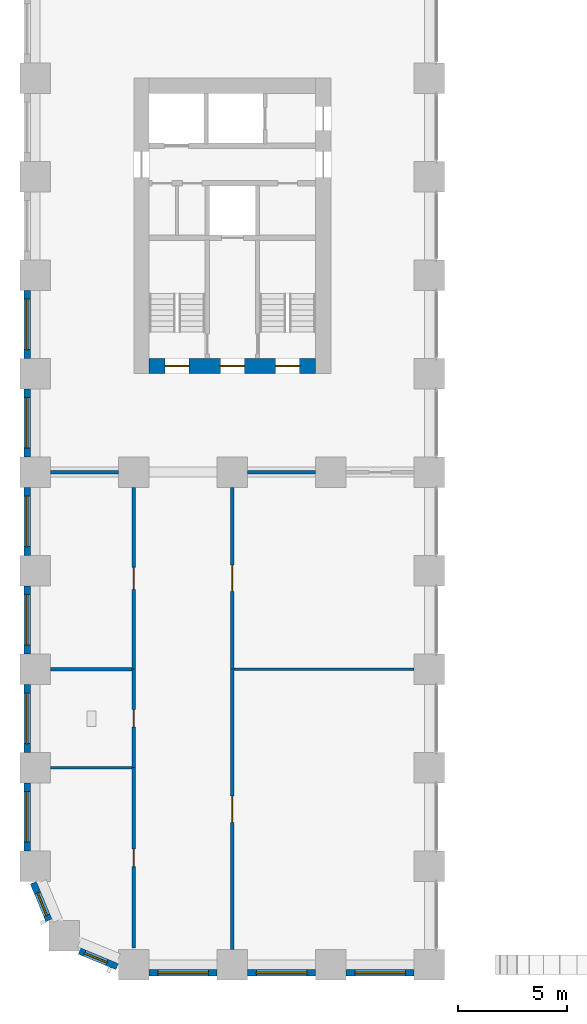
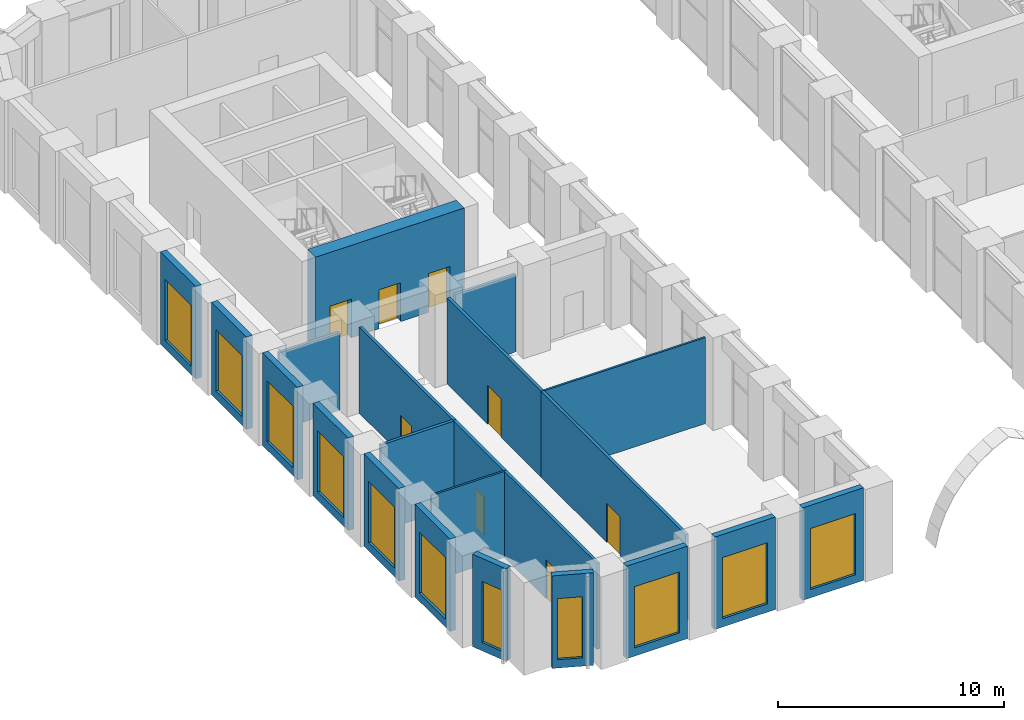
# One storey, part 8 of 24: 22 walls, 11 windows, 8 doors, 19 openings.
"""IFC4 building model written with IfcOpenShell, lengths in metres."""

import ifcopenshell
import ifcopenshell.guid

model = None  # the IFC model being written
_history = None  # IfcOwnerHistory: only IFC2X3 demands one
_inside = {}  # id of a spatial element -> (the spatial element, [elements in it])
_under = {}  # id of a project, library or spatial element -> (it, [spatial elements below it])
_declared = {}  # id of a project -> (the project, [libraries it declares])
_typed = {}  # id of a type object -> (the type object, [elements of that type])
_made_of = {}  # id of a material, layer set ... -> (it, [elements and type objects made of it])


def new_model(schema):
    """Start an empty IFC model of exactly this schema.

    Asked for "IFC4X3", IfcOpenShell would pick the latest addendum, in which some entities
    have other attributes; the version numbers below select the first issue.
    IFC2X3 requires an IfcOwnerHistory on every rooted entity: one is made here for all.
    """
    global model, _history
    if schema == "IFC4X3":
        model = ifcopenshell.file(schema_version=(4, 3, 0, 0))
    else:
        model = ifcopenshell.file(schema=schema)
    _inside.clear()
    _under.clear()
    _declared.clear()
    _typed.clear()
    _made_of.clear()
    _history = None
    if model.schema == "IFC2X3":
        org = make("IfcOrganization", Name="unknown")
        user = make(
            "IfcPersonAndOrganization",
            ThePerson=make("IfcPerson", FamilyName="unknown"),
            TheOrganization=org,
        )
        app = make(
            "IfcApplication",
            ApplicationDeveloper=org,
            Version="unknown",
            ApplicationFullName="unknown",
            ApplicationIdentifier="unknown",
        )
        _history = make(
            "IfcOwnerHistory",
            OwningUser=user,
            OwningApplication=app,
            ChangeAction="ADDED",
            CreationDate=0,
        )
    return model


def make(cls, **values):
    """One entity of the class cls with the attributes given. An attribute that is None is left unset."""
    return model.create_entity(
        cls, **{name: value for name, value in values.items() if value is not None}
    )


def rooted(cls, **values):
    """An entity with a GlobalId (a new one), such as an element, a storey or a relation."""
    return make(cls, GlobalId=ifcopenshell.guid.new(), OwnerHistory=_history, **values)


def si_unit(unit_type, name, prefix=None):
    """IfcSIUnit, for example si_unit("LENGTHUNIT", "METRE", prefix="MILLI")."""
    return make("IfcSIUnit", UnitType=unit_type, Prefix=prefix, Name=name)


def assignment(units):
    """IfcUnitAssignment: the units of a project."""
    return None if units is None else make("IfcUnitAssignment", Units=units)


def point(xyz):
    """IfcCartesianPoint."""
    return None if xyz is None else make("IfcCartesianPoint", Coordinates=xyz)


def direction(xyz):
    """IfcDirection."""
    return None if xyz is None else make("IfcDirection", DirectionRatios=xyz)


def frame(location, z_axis=None, x_axis=None):
    """IfcAxis2Placement3D, a coordinate frame: its origin and axes. An axis left out is left unset."""
    return make(
        "IfcAxis2Placement3D",
        Location=point(location),
        Axis=direction(z_axis),
        RefDirection=direction(x_axis),
    )


def frame_2d(location, x_axis=None):
    """IfcAxis2Placement2D, a coordinate frame in the plane: its origin and x axis."""
    return make(
        "IfcAxis2Placement2D", Location=point(location), RefDirection=direction(x_axis)
    )


def origin():
    """The frame at (0, 0, 0) with its axes left unset."""
    return frame((0.0, 0.0, 0.0))


def place(relative_to, where):
    """IfcLocalPlacement: puts the frame where relative to a parent placement (None: the world)."""
    return make(
        "IfcLocalPlacement", PlacementRelTo=relative_to, RelativePlacement=where
    )


def context(
    kind, dimensions, precision=None, world=None, true_north=None, identifier=None
):
    """IfcGeometricRepresentationContext, for example the 3D "Model" context."""
    return make(
        "IfcGeometricRepresentationContext",
        ContextIdentifier=identifier,
        ContextType=kind,
        CoordinateSpaceDimension=dimensions,
        Precision=precision,
        WorldCoordinateSystem=world,
        TrueNorth=true_north,
    )


def subcontext(parent, identifier, kind, view, scale=None):
    """IfcGeometricRepresentationSubContext, for example "Body" below "Model"."""
    return make(
        "IfcGeometricRepresentationSubContext",
        ContextIdentifier=identifier,
        ContextType=kind,
        ParentContext=parent,
        TargetScale=scale,
        TargetView=view,
    )


def project(units=None, contexts=None):
    """IfcProject with its units and contexts."""
    return rooted(
        "IfcProject",
        Name="project",
        RepresentationContexts=contexts,
        UnitsInContext=assignment(units),
    )


def spatial(cls, under=None, at=None, **own):
    """A site, building, storey or space (cls), placed at a placement, below another one or the project."""
    s = rooted(cls, ObjectPlacement=at, **own)
    if under is not None:
        _under.setdefault(under.id(), (under, []))[1].append(s)
    return s


def profile(cls, at=None, kind="AREA", **sizes):
    """A parametric profile (cls). Its sizes go by their IFC names, for example OverallWidth=200.0."""
    return make(cls, ProfileType=kind, Position=at, **sizes)


def rectangle(**sizes):
    """IfcRectangleProfileDef."""
    return profile("IfcRectangleProfileDef", **sizes)


def extrude(swept, where, along, depth):
    """IfcExtrudedAreaSolid: the profile swept, set in the frame where, extruded along a direction by depth."""
    return make(
        "IfcExtrudedAreaSolid",
        SweptArea=swept,
        Position=where,
        ExtrudedDirection=direction(along),
        Depth=depth,
    )


def shape(context_of_items, identifier, shape_type, items):
    """IfcShapeRepresentation: the items that make up one representation, for example the "Body"."""
    return make(
        "IfcShapeRepresentation",
        ContextOfItems=context_of_items,
        RepresentationIdentifier=identifier,
        RepresentationType=shape_type,
        Items=items,
    )


def material(Name=None, Category=None):
    """IfcMaterial."""
    return make("IfcMaterial", Name=Name, Category=Category)


def layer(
    of_material, thickness, ventilated=None, Name=None, Category=None, Priority=None
):
    """IfcMaterialLayer: one layer of a wall or slab, of a material (None: an air gap)."""
    return make(
        "IfcMaterialLayer",
        Material=of_material,
        LayerThickness=thickness,
        IsVentilated=ventilated,
        Name=Name,
        Category=Category,
        Priority=Priority,
    )


def layer_set(layers, Name=None):
    """IfcMaterialLayerSet."""
    return make("IfcMaterialLayerSet", MaterialLayers=layers, LayerSetName=Name)


def made_of(thing, what):
    """Note that an element or type object is made of a material, layer set ...; save() writes the relation."""
    if what is not None:
        _made_of.setdefault(what.id(), (what, []))[1].append(thing)
    return thing


def type_object(cls, material=None, **own):
    """A type object (cls), such as IfcWallType, which elements share."""
    return made_of(rooted(cls, **own), material)


def element(
    cls,
    number,
    at=None,
    inside=None,
    cuts=None,
    type_object=None,
    material=None,
    context=None,
    identifier="Body",
    shape_type=None,
    held_by="IfcProductDefinitionShape",
    body=None,
    shapes=None,
    **own,
):
    """One element of the class cls, such as IfcWall. Its Tag is "e" and its number.

    at: its placement. inside: the storey or other place that contains it. cuts: it is an
    opening in that element (IfcRelVoidsElement). A single representation is given by context,
    identifier, shape_type and body (its items); several are given by shapes. held_by: the class
    of the entity that holds the representations. save() writes the other relations.
    """
    e = rooted(cls, Tag="e%d" % number, ObjectPlacement=at, **own)
    if body is not None:
        shapes = [shape(context, identifier, shape_type, body)]
    if shapes is not None:
        e.Representation = make(held_by, Representations=shapes)
    if inside is not None:
        _inside.setdefault(inside.id(), (inside, []))[1].append(e)
    if cuts is not None:
        rooted(
            "IfcRelVoidsElement", RelatingBuildingElement=cuts, RelatedOpeningElement=e
        )
    if type_object is not None:
        _typed.setdefault(type_object.id(), (type_object, []))[1].append(e)
    return made_of(e, material)


def fill(opening, filler):
    """IfcRelFillsElement: the door or window that sits in an opening."""
    return rooted(
        "IfcRelFillsElement",
        RelatingOpeningElement=opening,
        RelatedBuildingElement=filler,
    )


def aggregate(whole, parts):
    """IfcRelAggregates: a whole, such as a stair, and the parts it consists of."""
    return rooted("IfcRelAggregates", RelatingObject=whole, RelatedObjects=parts)


def save(model, path):
    """Write the relations noted so far, then the file.

    IfcRelAggregates (storeys below a building ...), IfcRelContainedInSpatialStructure (elements
    in a storey), IfcRelDefinesByType, IfcRelAssociatesMaterial and IfcRelDeclares: one each for
    every whole, place, type object, material and project.
    """
    for whole, parts in _under.values():
        aggregate(whole, parts)
    for where, things in _inside.values():
        rooted(
            "IfcRelContainedInSpatialStructure",
            RelatedElements=things,
            RelatingStructure=where,
        )
    for kind, things in _typed.values():
        rooted("IfcRelDefinesByType", RelatedObjects=things, RelatingType=kind)
    for what, things in _made_of.values():
        rooted("IfcRelAssociatesMaterial", RelatedObjects=things, RelatingMaterial=what)
    for by, libraries in _declared.values():
        rooted("IfcRelDeclares", RelatingContext=by, RelatedDefinitions=libraries)
    model.write(path)


model = new_model("IFC4")

# Units and contexts
model_context = context("Model", 3, precision=1e-05, world=origin(), true_north=direction((0.0, 1.0)))
body_context = subcontext(model_context, "Body", "Model", "MODEL_VIEW")
ifc_project = project(units=[si_unit("LENGTHUNIT", "METRE"), si_unit("AREAUNIT", "SQUARE_METRE"), si_unit("VOLUMEUNIT", "CUBIC_METRE"), si_unit("PLANEANGLEUNIT", "RADIAN"), si_unit("MASSUNIT", "GRAM", prefix="KILO")], contexts=[model_context])

# Site, building, storey
site_placement = place(None, origin())
site = spatial("IfcSite", under=ifc_project, at=site_placement, CompositionType="ELEMENT")
building_placement = place(site_placement, origin())
building = spatial("IfcBuilding", under=site, at=building_placement, Name="Girih Gate Residences", CompositionType="ELEMENT")
storey_placement = place(building_placement, frame((0.0, 0.0, 11.0)))
storey = spatial("IfcBuildingStorey", under=building, at=storey_placement, Name="L02", CompositionType="ELEMENT", Elevation=11.0)

# Walls
ifc_material_1 = material(Name="Gypsum board on steel studs", Category="steel")
ifc_layer_1 = layer(ifc_material_1, 0.14990234375)
ifc_layer_set_1 = layer_set([ifc_layer_1], Name="Compartment wall 150 mm")
wall_type_1 = type_object("IfcWallType", Name="Compartment wall 150 mm", PredefinedType="PARTITIONING", material=ifc_layer_set_1)
for number, where, z_axis, x_axis, name in (
    (1, (9.699951171875, 22.5, 0.0), (0.0, 0.0, 1.0), (1.0, 0.0, 0.0), "L02 partition"),
    (2, (0.699951171875, 22.5, 0.0), (0.0, 0.0, 1.0), (1.0, 0.0, 0.0), "L02 partition"),
):
    element("IfcWall", number, at=place(storey_placement, frame(where, z_axis=z_axis, x_axis=x_axis)), inside=storey, type_object=wall_type_1, Name=name, PredefinedType="PARTITIONING", context=body_context, shape_type="SweptSolid", body=[
        extrude(rectangle(XDim=3.10009765625, YDim=0.14990234375, at=frame_2d((1.550048828125, 0.0))), origin(), (0.0, 0.0, 1.0), 4.179931640625),
    ])

# Wall, opening, door
wall_1_placement = place(storey_placement, frame((9.0, 13.5, 0.0), z_axis=(0.0, 0.0, 1.0), x_axis=(0.0, -1.0, 0.0)))
wall_1 = element("IfcWall", 3, at=wall_1_placement, inside=storey, type_object=wall_type_1, Name="L02 partition", PredefinedType="PARTITIONING", context=body_context, shape_type="SweptSolid", body=[
    extrude(rectangle(XDim=12.800048828125, YDim=0.14990234375, at=frame_2d((6.39990234375, 0.0))), origin(), (0.0, 0.0, 1.0), 4.64990234375),
])
opening_1_placement = place(wall_1_placement, frame((5.800048828125, 0.0, 0.0)))
opening_1 = element("IfcOpeningElement", 4, at=opening_1_placement, cuts=wall_1, Name="Opening D-L02-S-013", PredefinedType="OPENING", context=body_context, shape_type="SweptSolid", body=[
    extrude(rectangle(XDim=1.199951171875, YDim=2.10009765625, at=frame_2d((0.60009765625, 1.050048828125))), frame((0.0, 0.0849609375, 0.0), z_axis=(0.0, -1.0, 0.0), x_axis=(1.0, 0.0, 0.0)), (0.0, 0.0, 1.0), 0.169921875),
])
ifc_material_2 = material(Name="Timber, fire-rated core", Category="wood")
door_type_1 = type_object("IfcDoorType", Name="Gallery fire door 1200x2100 FD30S", OperationType="SINGLE_SWING_LEFT", PredefinedType="DOOR", material=ifc_material_2)
door_1_placement = place(opening_1_placement, origin())
door_1 = element("IfcDoor", 5, at=door_1_placement, inside=storey, type_object=door_type_1, Name="Door L02-013", OperationType="SINGLE_SWING_RIGHT", OverallHeight=2.10009765625, OverallWidth=1.199951171875, PredefinedType="DOOR", context=body_context, shape_type="SweptSolid", body=[
    extrude(rectangle(XDim=1.199951171875, YDim=2.10009765625, at=frame_2d((0.60009765625, 1.050048828125))), frame((0.0, 0.02490234375, 0.0), z_axis=(0.0, -1.0, 0.0), x_axis=(1.0, 0.0, 0.0)), (0.0, 0.0, 1.0), 0.050048828125),
])
fill(opening_1, door_1)

wall_2_placement = place(storey_placement, frame((9.0, 21.800048828125, 0.0), z_axis=(0.0, 0.0, 1.0), x_axis=(0.0, -1.0, 0.0)))
wall_2 = element("IfcWall", 6, at=wall_2_placement, inside=storey, type_object=wall_type_1, Name="L02 partition", PredefinedType="PARTITIONING", context=body_context, shape_type="SweptSolid", body=[
    extrude(rectangle(XDim=8.300048828125, YDim=0.14990234375, at=frame_2d((4.14990234375, 0.0))), origin(), (0.0, 0.0, 1.0), 4.64990234375),
])
opening_2_placement = place(wall_2_placement, frame((3.550048828125, 0.0, 0.0)))
opening_2 = element("IfcOpeningElement", 7, at=opening_2_placement, cuts=wall_2, Name="Opening D-L02-S-014", PredefinedType="OPENING", context=body_context, shape_type="SweptSolid", body=[
    extrude(rectangle(XDim=1.199951171875, YDim=2.10009765625, at=frame_2d((0.60009765625, 1.050048828125))), frame((0.0, 0.0849609375, 0.0), z_axis=(0.0, -1.0, 0.0), x_axis=(1.0, 0.0, 0.0)), (0.0, 0.0, 1.0), 0.169921875),
])
door_2_placement = place(opening_2_placement, origin())
door_2 = element("IfcDoor", 8, at=door_2_placement, inside=storey, type_object=door_type_1, Name="Door L02-014", OperationType="SINGLE_SWING_RIGHT", OverallHeight=2.10009765625, OverallWidth=1.199951171875, PredefinedType="DOOR", context=body_context, shape_type="SweptSolid", body=[
    extrude(rectangle(XDim=1.199951171875, YDim=2.10009765625, at=frame_2d((0.60009765625, 1.050048828125))), frame((0.0, 0.02490234375, 0.0), z_axis=(0.0, -1.0, 0.0), x_axis=(1.0, 0.0, 0.0)), (0.0, 0.0, 1.0), 0.050048828125),
])
fill(opening_2, door_2)

wall_3_placement = place(storey_placement, frame((4.5, 0.757568359375, 0.0), z_axis=(0.0, 0.0, 1.0), x_axis=(0.0, 1.0, 0.0)))
wall_3 = element("IfcWall", 9, at=wall_3_placement, inside=storey, type_object=wall_type_1, Name="L02 partition", PredefinedType="PARTITIONING", context=body_context, shape_type="SweptSolid", body=[
    extrude(rectangle(XDim=8.242431640625, YDim=0.14990234375, at=frame_2d((4.12109375, 0.0))), origin(), (0.0, 0.0, 1.0), 4.64990234375),
])
opening_3_placement = place(wall_3_placement, frame((3.72119140625, 0.0, 0.0)))
opening_3 = element("IfcOpeningElement", 10, at=opening_3_placement, cuts=wall_3, Name="Opening D-L02-S-015", PredefinedType="OPENING", context=body_context, shape_type="SweptSolid", body=[
    extrude(rectangle(XDim=0.800048828125, YDim=2.10009765625, at=frame_2d((0.39990234375, 1.050048828125))), frame((0.0, 0.0849609375, 0.0), z_axis=(0.0, -1.0, 0.0), x_axis=(1.0, 0.0, 0.0)), (0.0, 0.0, 1.0), 0.169921875),
])
ifc_material_3 = material(Name="Timber", Category="wood")
door_type_2 = type_object("IfcDoorType", Name="WC and store door 800x2100", OperationType="SINGLE_SWING_LEFT", PredefinedType="DOOR", material=ifc_material_3)
door_3_placement = place(opening_3_placement, origin())
door_3 = element("IfcDoor", 11, at=door_3_placement, inside=storey, type_object=door_type_2, Name="Door L02-015", OperationType="SINGLE_SWING_RIGHT", OverallHeight=2.10009765625, OverallWidth=0.800048828125, PredefinedType="DOOR", context=body_context, shape_type="SweptSolid", body=[
    extrude(rectangle(XDim=0.800048828125, YDim=2.10009765625, at=frame_2d((0.39990234375, 1.050048828125))), frame((0.0, 0.02490234375, 0.0), z_axis=(0.0, -1.0, 0.0), x_axis=(1.0, 0.0, 0.0)), (0.0, 0.0, 1.0), 0.050048828125),
])
fill(opening_3, door_3)

wall_4_placement = place(storey_placement, frame((4.5, 9.0, 0.0), z_axis=(0.0, 0.0, 1.0), x_axis=(0.0, 1.0, 0.0)))
wall_4 = element("IfcWall", 12, at=wall_4_placement, inside=storey, type_object=wall_type_1, Name="L02 partition", PredefinedType="PARTITIONING", context=body_context, shape_type="SweptSolid", body=[
    extrude(rectangle(XDim=4.5, YDim=0.14990234375, at=frame_2d((2.25, 0.0))), origin(), (0.0, 0.0, 1.0), 4.64990234375),
])
opening_4_placement = place(wall_4_placement, frame((1.85009765625, 0.0, 0.0)))
opening_4 = element("IfcOpeningElement", 13, at=opening_4_placement, cuts=wall_4, Name="Opening D-L02-S-016", PredefinedType="OPENING", context=body_context, shape_type="SweptSolid", body=[
    extrude(rectangle(XDim=0.800048828125, YDim=2.10009765625, at=frame_2d((0.39990234375, 1.050048828125))), frame((0.0, 0.0849609375, 0.0), z_axis=(0.0, -1.0, 0.0), x_axis=(1.0, 0.0, 0.0)), (0.0, 0.0, 1.0), 0.169921875),
])
door_4_placement = place(opening_4_placement, origin())
door_4 = element("IfcDoor", 14, at=door_4_placement, inside=storey, type_object=door_type_2, Name="Door L02-016", OperationType="SINGLE_SWING_RIGHT", OverallHeight=2.10009765625, OverallWidth=0.800048828125, PredefinedType="DOOR", context=body_context, shape_type="SweptSolid", body=[
    extrude(rectangle(XDim=0.800048828125, YDim=2.10009765625, at=frame_2d((0.39990234375, 1.050048828125))), frame((0.0, 0.02490234375, 0.0), z_axis=(0.0, -1.0, 0.0), x_axis=(1.0, 0.0, 0.0)), (0.0, 0.0, 1.0), 0.050048828125),
])
fill(opening_4, door_4)

wall_5_placement = place(storey_placement, frame((4.5, 13.5, 0.0), z_axis=(0.0, 0.0, 1.0), x_axis=(0.0, 1.0, 0.0)))
wall_5 = element("IfcWall", 15, at=wall_5_placement, inside=storey, type_object=wall_type_1, Name="L02 partition", PredefinedType="PARTITIONING", context=body_context, shape_type="SweptSolid", body=[
    extrude(rectangle(XDim=8.300048828125, YDim=0.14990234375, at=frame_2d((4.14990234375, 0.0))), origin(), (0.0, 0.0, 1.0), 4.64990234375),
])
opening_5_placement = place(wall_5_placement, frame((3.64990234375, 0.0, 0.0)))
opening_5 = element("IfcOpeningElement", 16, at=opening_5_placement, cuts=wall_5, Name="Opening D-L02-S-017", PredefinedType="OPENING", context=body_context, shape_type="SweptSolid", body=[
    extrude(rectangle(XDim=1.0, YDim=2.10009765625, at=frame_2d((0.5, 1.050048828125))), frame((0.0, 0.0849609375, 0.0), z_axis=(0.0, -1.0, 0.0), x_axis=(1.0, 0.0, 0.0)), (0.0, 0.0, 1.0), 0.169921875),
])
door_type_3 = type_object("IfcDoorType", Name="Amenity door 1000x2100 FD30S", OperationType="SINGLE_SWING_LEFT", PredefinedType="DOOR", material=ifc_material_2)
door_5_placement = place(opening_5_placement, origin())
door_5 = element("IfcDoor", 17, at=door_5_placement, inside=storey, type_object=door_type_3, Name="Door L02-017", OperationType="SINGLE_SWING_RIGHT", OverallHeight=2.10009765625, OverallWidth=1.0, PredefinedType="DOOR", context=body_context, shape_type="SweptSolid", body=[
    extrude(rectangle(XDim=1.0, YDim=2.10009765625, at=frame_2d((0.5, 1.050048828125))), frame((0.0, 0.02490234375, 0.0), z_axis=(0.0, -1.0, 0.0), x_axis=(1.0, 0.0, 0.0)), (0.0, 0.0, 1.0), 0.050048828125),
])
fill(opening_5, door_5)

# Wall
wall_6_placement = place(storey_placement, frame((0.699951171875, 13.5, 0.0), z_axis=(0.0, 0.0, 1.0), x_axis=(1.0, 0.0, 0.0)))
element("IfcWall", 18, at=wall_6_placement, inside=storey, type_object=wall_type_1, Name="L02 partition", PredefinedType="PARTITIONING", context=body_context, shape_type="SweptSolid", body=[
    extrude(rectangle(XDim=3.72509765625, YDim=0.14990234375, at=frame_2d((1.862548828125, 0.0))), origin(), (0.0, 0.0, 1.0), 4.64990234375),
])

# Wall, openings, doors
ifc_material_4 = material(Name="Concrete C60/75", Category="concrete")
ifc_layer_2 = layer(ifc_material_4, 0.699951171875)
ifc_layer_set_2 = layer_set([ifc_layer_2], Name="Core wall RC 700 Concrete C60/75")
wall_type_2 = type_object("IfcWallType", Name="Core wall RC 700 Concrete C60/75", PredefinedType="SOLIDWALL", material=ifc_layer_set_2)
wall_7_placement = place(storey_placement, frame((5.199951171875, 27.35009765625, 0.0), z_axis=(0.0, 0.0, 1.0), x_axis=(1.0, 0.0, 0.0)))
wall_7 = element("IfcWall", 19, at=wall_7_placement, inside=storey, type_object=wall_type_2, Name="Core wall W-S L02", PredefinedType="SOLIDWALL", context=body_context, shape_type="SweptSolid", body=[
    extrude(rectangle(XDim=7.60009765625, YDim=0.699951171875, at=frame_2d((3.800048828125, 0.0))), origin(), (0.0, 0.0, 1.0), 5.0),
])
opening_6_placement = place(wall_7_placement, frame((0.72509765625, 0.0, 0.0)))
opening_6 = element("IfcOpeningElement", 20, at=opening_6_placement, cuts=wall_7, Name="Opening D-L02-W-009", PredefinedType="OPENING", context=body_context, shape_type="SweptSolid", body=[
    extrude(rectangle(XDim=1.10009765625, YDim=2.10009765625, at=frame_2d((0.550048828125, 1.050048828125))), frame((0.0, 0.35986328125, 0.0), z_axis=(0.0, -1.0, 0.0), x_axis=(1.0, 0.0, 0.0)), (0.0, 0.0, 1.0), 0.719970703125),
])
opening_7_placement = place(wall_7_placement, frame((3.25, 0.0, 0.0)))
opening_7 = element("IfcOpeningElement", 21, at=opening_7_placement, cuts=wall_7, Name="Opening D-L02-W-010", PredefinedType="OPENING", context=body_context, shape_type="SweptSolid", body=[
    extrude(rectangle(XDim=1.10009765625, YDim=2.10009765625, at=frame_2d((0.550048828125, 1.050048828125))), frame((0.0, 0.35986328125, 0.0), z_axis=(0.0, -1.0, 0.0), x_axis=(1.0, 0.0, 0.0)), (0.0, 0.0, 1.0), 0.719970703125),
])
opening_8_placement = place(wall_7_placement, frame((5.77490234375, 0.0, 0.0)))
opening_8 = element("IfcOpeningElement", 22, at=opening_8_placement, cuts=wall_7, Name="Opening D-L02-W-011", PredefinedType="OPENING", context=body_context, shape_type="SweptSolid", body=[
    extrude(rectangle(XDim=1.10009765625, YDim=2.10009765625, at=frame_2d((0.550048828125, 1.050048828125))), frame((0.0, 0.35986328125, 0.0), z_axis=(0.0, -1.0, 0.0), x_axis=(1.0, 0.0, 0.0)), (0.0, 0.0, 1.0), 0.719970703125),
])
ifc_material_5 = material(Name="Painted steel, fire-resisting", Category="steel")
door_type_4 = type_object("IfcDoorType", Name="Fire door 1100x2100", OperationType="SINGLE_SWING_LEFT", PredefinedType="DOOR", material=ifc_material_5)
door_6_placement = place(opening_6_placement, origin())
door_6 = element("IfcDoor", 23, at=door_6_placement, inside=storey, type_object=door_type_4, Name="L02 W core door sta-out", OperationType="SINGLE_SWING_LEFT", OverallHeight=2.10009765625, OverallWidth=1.10009765625, PredefinedType="DOOR", context=body_context, shape_type="SweptSolid", body=[
    extrude(rectangle(XDim=1.10009765625, YDim=2.10009765625, at=frame_2d((0.550048828125, 1.050048828125))), frame((0.0, 0.02490234375, 0.0), z_axis=(0.0, -1.0, 0.0), x_axis=(1.0, 0.0, 0.0)), (0.0, 0.0, 1.0), 0.050048828125),
])
fill(opening_6, door_6)
door_7_placement = place(opening_7_placement, origin())
door_7 = element("IfcDoor", 24, at=door_7_placement, inside=storey, type_object=door_type_4, Name="L02 W core door ffl-out", OperationType="SINGLE_SWING_LEFT", OverallHeight=2.10009765625, OverallWidth=1.10009765625, PredefinedType="DOOR", context=body_context, shape_type="SweptSolid", body=[
    extrude(rectangle(XDim=1.10009765625, YDim=2.10009765625, at=frame_2d((0.550048828125, 1.050048828125))), frame((0.0, 0.02490234375, 0.0), z_axis=(0.0, -1.0, 0.0), x_axis=(1.0, 0.0, 0.0)), (0.0, 0.0, 1.0), 0.050048828125),
])
fill(opening_7, door_7)
door_8_placement = place(opening_8_placement, origin())
door_8 = element("IfcDoor", 25, at=door_8_placement, inside=storey, type_object=door_type_4, Name="L02 W core door stb-out", OperationType="SINGLE_SWING_LEFT", OverallHeight=2.10009765625, OverallWidth=1.10009765625, PredefinedType="DOOR", context=body_context, shape_type="SweptSolid", body=[
    extrude(rectangle(XDim=1.10009765625, YDim=2.10009765625, at=frame_2d((0.550048828125, 1.050048828125))), frame((0.0, 0.02490234375, 0.0), z_axis=(0.0, -1.0, 0.0), x_axis=(1.0, 0.0, 0.0)), (0.0, 0.0, 1.0), 0.050048828125),
])
fill(opening_8, door_8)

# Walls
ifc_layer_3 = layer(ifc_material_1, 0.10009765625)
ifc_layer_set_3 = layer_set([ifc_layer_3], Name="Partition 100 mm")
wall_type_3 = type_object("IfcWallType", Name="Partition 100 mm", PredefinedType="PARTITIONING", material=ifc_layer_set_3)
wall_8_placement = place(storey_placement, frame((9.074951171875, 13.5, 0.0), z_axis=(0.0, 0.0, 1.0), x_axis=(1.0, 0.0, 0.0)))
element("IfcWall", 26, at=wall_8_placement, inside=storey, type_object=wall_type_3, Name="L02 partition", PredefinedType="PARTITIONING", context=body_context, shape_type="SweptSolid", body=[
    extrude(rectangle(XDim=8.22509765625, YDim=0.10009765625, at=frame_2d((4.112548828125, 0.0))), origin(), (0.0, 0.0, 1.0), 4.64990234375),
])
wall_9_placement = place(storey_placement, frame((0.699951171875, 9.0, 0.0), z_axis=(0.0, 0.0, 1.0), x_axis=(1.0, 0.0, 0.0)))
element("IfcWall", 27, at=wall_9_placement, inside=storey, type_object=wall_type_3, Name="L02 partition", PredefinedType="PARTITIONING", context=body_context, shape_type="SweptSolid", body=[
    extrude(rectangle(XDim=3.72509765625, YDim=0.10009765625, at=frame_2d((1.862548828125, 0.0))), origin(), (0.0, 0.0, 1.0), 4.64990234375),
])

# Wall, opening, window
ifc_material_6 = material(Name="Precast concrete C50/60", Category="concrete")
ifc_layer_4 = layer(ifc_material_6, 0.080078125, Name="Outer leaf")
ifc_material_7 = material(Name="Rigid PIR insulation")
ifc_layer_5 = layer(ifc_material_7, 0.14990234375, Name="Insulation")
ifc_material_8 = material(Name="Precast concrete C40/50", Category="concrete")
ifc_layer_6 = layer(ifc_material_8, 0.070068359375, Name="Inner leaf")
ifc_layer_set_4 = layer_set([ifc_layer_4, ifc_layer_5, ifc_layer_6], Name="Precast concrete C50/60 external wall 300")
wall_type_4 = type_object("IfcWallType", Name="Precast concrete C50/60 external wall 300", PredefinedType="SOLIDWALL", material=ifc_layer_set_4)
wall_10_placement = place(storey_placement, frame((-0.375, 27.699951171875, 0.0), z_axis=(0.0, 0.0, 1.0), x_axis=(0.0, 1.0, 0.0)))
wall_10 = element("IfcWall", 28, at=wall_10_placement, inside=storey, type_object=wall_type_4, Name="External wall W0000_0450.3", PredefinedType="SOLIDWALL", context=body_context, shape_type="SweptSolid", body=[
    extrude(rectangle(XDim=3.10009765625, YDim=0.300048828125, at=frame_2d((1.550048828125, 0.0))), origin(), (0.0, 0.0, 1.0), 5.0),
])
opening_9_placement = place(wall_10_placement, frame((0.39990234375, 0.0, 0.449951171875)))
opening_9 = element("IfcOpeningElement", 29, at=opening_9_placement, cuts=wall_10, Name="Opening W-3", PredefinedType="OPENING", context=body_context, shape_type="SweptSolid", body=[
    extrude(rectangle(XDim=2.300048828125, YDim=3.300048828125, at=frame_2d((1.14990234375, 1.64990234375))), frame((0.0, 0.159912109375, 0.0), z_axis=(0.0, -1.0, 0.0), x_axis=(1.0, 0.0, 0.0)), (0.0, 0.0, 1.0), 0.320068359375),
])
ifc_material_9 = material(Name="Double glazing in aluminium frame", Category="aluminium")
window_type_1 = type_object("IfcWindowType", Name="Window W-3 2300x3300", PartitioningType="SINGLE_PANEL", PredefinedType="WINDOW", material=ifc_material_9)
window_1_placement = place(opening_9_placement, origin())
window_1 = element("IfcWindow", 30, at=window_1_placement, inside=storey, type_object=window_type_1, Name="Window W-3 W0000_0450.3", OverallHeight=3.300048828125, OverallWidth=2.300048828125, PartitioningType="SINGLE_PANEL", PredefinedType="WINDOW", context=body_context, shape_type="SweptSolid", body=[
    extrude(rectangle(XDim=2.300048828125, YDim=3.300048828125, at=frame_2d((1.14990234375, 1.64990234375))), frame((0.0, 0.030029296875, 0.0), z_axis=(0.0, -1.0, 0.0), x_axis=(1.0, 0.0, 0.0)), (0.0, 0.0, 1.0), 0.06005859375),
])
fill(opening_9, window_1)

wall_11_placement = place(storey_placement, frame((-0.375, 23.199951171875, 0.0), z_axis=(0.0, 0.0, 1.0), x_axis=(0.0, 1.0, 0.0)))
wall_11 = element("IfcWall", 31, at=wall_11_placement, inside=storey, type_object=wall_type_4, Name="External wall W0000_0450.4", PredefinedType="SOLIDWALL", context=body_context, shape_type="SweptSolid", body=[
    extrude(rectangle(XDim=3.10009765625, YDim=0.300048828125, at=frame_2d((1.550048828125, 0.0))), origin(), (0.0, 0.0, 1.0), 5.0),
])
opening_10_placement = place(wall_11_placement, frame((0.39990234375, 0.0, 0.449951171875)))
opening_10 = element("IfcOpeningElement", 32, at=opening_10_placement, cuts=wall_11, Name="Opening W-3", PredefinedType="OPENING", context=body_context, shape_type="SweptSolid", body=[
    extrude(rectangle(XDim=2.300048828125, YDim=3.300048828125, at=frame_2d((1.14990234375, 1.64990234375))), frame((0.0, 0.159912109375, 0.0), z_axis=(0.0, -1.0, 0.0), x_axis=(1.0, 0.0, 0.0)), (0.0, 0.0, 1.0), 0.320068359375),
])
window_2_placement = place(opening_10_placement, origin())
window_2 = element("IfcWindow", 33, at=window_2_placement, inside=storey, type_object=window_type_1, Name="Window W-3 W0000_0450.4", OverallHeight=3.300048828125, OverallWidth=2.300048828125, PartitioningType="SINGLE_PANEL", PredefinedType="WINDOW", context=body_context, shape_type="SweptSolid", body=[
    extrude(rectangle(XDim=2.300048828125, YDim=3.300048828125, at=frame_2d((1.14990234375, 1.64990234375))), frame((0.0, 0.030029296875, 0.0), z_axis=(0.0, -1.0, 0.0), x_axis=(1.0, 0.0, 0.0)), (0.0, 0.0, 1.0), 0.06005859375),
])
fill(opening_10, window_2)

wall_12_placement = place(storey_placement, frame((-0.375, 18.699951171875, 0.0), z_axis=(0.0, 0.0, 1.0), x_axis=(0.0, 1.0, 0.0)))
wall_12 = element("IfcWall", 34, at=wall_12_placement, inside=storey, type_object=wall_type_4, Name="External wall W0000_0450.5", PredefinedType="SOLIDWALL", context=body_context, shape_type="SweptSolid", body=[
    extrude(rectangle(XDim=3.10009765625, YDim=0.300048828125, at=frame_2d((1.550048828125, 0.0))), origin(), (0.0, 0.0, 1.0), 5.0),
])
opening_11_placement = place(wall_12_placement, frame((0.39990234375, 0.0, 0.449951171875)))
opening_11 = element("IfcOpeningElement", 35, at=opening_11_placement, cuts=wall_12, Name="Opening W-3", PredefinedType="OPENING", context=body_context, shape_type="SweptSolid", body=[
    extrude(rectangle(XDim=2.300048828125, YDim=3.300048828125, at=frame_2d((1.14990234375, 1.64990234375))), frame((0.0, 0.159912109375, 0.0), z_axis=(0.0, -1.0, 0.0), x_axis=(1.0, 0.0, 0.0)), (0.0, 0.0, 1.0), 0.320068359375),
])
window_3_placement = place(opening_11_placement, origin())
window_3 = element("IfcWindow", 36, at=window_3_placement, inside=storey, type_object=window_type_1, Name="Window W-3 W0000_0450.5", OverallHeight=3.300048828125, OverallWidth=2.300048828125, PartitioningType="SINGLE_PANEL", PredefinedType="WINDOW", context=body_context, shape_type="SweptSolid", body=[
    extrude(rectangle(XDim=2.300048828125, YDim=3.300048828125, at=frame_2d((1.14990234375, 1.64990234375))), frame((0.0, 0.030029296875, 0.0), z_axis=(0.0, -1.0, 0.0), x_axis=(1.0, 0.0, 0.0)), (0.0, 0.0, 1.0), 0.06005859375),
])
fill(opening_11, window_3)

wall_13_placement = place(storey_placement, frame((-0.375, 14.199951171875, 0.0), z_axis=(0.0, 0.0, 1.0), x_axis=(0.0, 1.0, 0.0)))
wall_13 = element("IfcWall", 37, at=wall_13_placement, inside=storey, type_object=wall_type_4, Name="External wall W0000_0450.6", PredefinedType="SOLIDWALL", context=body_context, shape_type="SweptSolid", body=[
    extrude(rectangle(XDim=3.10009765625, YDim=0.300048828125, at=frame_2d((1.550048828125, 0.0))), origin(), (0.0, 0.0, 1.0), 5.0),
])
opening_12_placement = place(wall_13_placement, frame((0.39990234375, 0.0, 0.449951171875)))
opening_12 = element("IfcOpeningElement", 38, at=opening_12_placement, cuts=wall_13, Name="Opening W-3", PredefinedType="OPENING", context=body_context, shape_type="SweptSolid", body=[
    extrude(rectangle(XDim=2.300048828125, YDim=3.300048828125, at=frame_2d((1.14990234375, 1.64990234375))), frame((0.0, 0.159912109375, 0.0), z_axis=(0.0, -1.0, 0.0), x_axis=(1.0, 0.0, 0.0)), (0.0, 0.0, 1.0), 0.320068359375),
])
window_4_placement = place(opening_12_placement, origin())
window_4 = element("IfcWindow", 39, at=window_4_placement, inside=storey, type_object=window_type_1, Name="Window W-3 W0000_0450.6", OverallHeight=3.300048828125, OverallWidth=2.300048828125, PartitioningType="SINGLE_PANEL", PredefinedType="WINDOW", context=body_context, shape_type="SweptSolid", body=[
    extrude(rectangle(XDim=2.300048828125, YDim=3.300048828125, at=frame_2d((1.14990234375, 1.64990234375))), frame((0.0, 0.030029296875, 0.0), z_axis=(0.0, -1.0, 0.0), x_axis=(1.0, 0.0, 0.0)), (0.0, 0.0, 1.0), 0.06005859375),
])
fill(opening_12, window_4)

wall_14_placement = place(storey_placement, frame((-0.375, 9.699951171875, 0.0), z_axis=(0.0, 0.0, 1.0), x_axis=(0.0, 1.0, 0.0)))
wall_14 = element("IfcWall", 40, at=wall_14_placement, inside=storey, type_object=wall_type_4, Name="External wall W0000_0450.7", PredefinedType="SOLIDWALL", context=body_context, shape_type="SweptSolid", body=[
    extrude(rectangle(XDim=3.10009765625, YDim=0.300048828125, at=frame_2d((1.550048828125, 0.0))), origin(), (0.0, 0.0, 1.0), 5.0),
])
opening_13_placement = place(wall_14_placement, frame((0.39990234375, 0.0, 0.449951171875)))
opening_13 = element("IfcOpeningElement", 41, at=opening_13_placement, cuts=wall_14, Name="Opening W-3", PredefinedType="OPENING", context=body_context, shape_type="SweptSolid", body=[
    extrude(rectangle(XDim=2.300048828125, YDim=3.300048828125, at=frame_2d((1.14990234375, 1.64990234375))), frame((0.0, 0.159912109375, 0.0), z_axis=(0.0, -1.0, 0.0), x_axis=(1.0, 0.0, 0.0)), (0.0, 0.0, 1.0), 0.320068359375),
])
window_5_placement = place(opening_13_placement, origin())
window_5 = element("IfcWindow", 42, at=window_5_placement, inside=storey, type_object=window_type_1, Name="Window W-3 W0000_0450.7", OverallHeight=3.300048828125, OverallWidth=2.300048828125, PartitioningType="SINGLE_PANEL", PredefinedType="WINDOW", context=body_context, shape_type="SweptSolid", body=[
    extrude(rectangle(XDim=2.300048828125, YDim=3.300048828125, at=frame_2d((1.14990234375, 1.64990234375))), frame((0.0, 0.030029296875, 0.0), z_axis=(0.0, -1.0, 0.0), x_axis=(1.0, 0.0, 0.0)), (0.0, 0.0, 1.0), 0.06005859375),
])
fill(opening_13, window_5)

wall_15_placement = place(storey_placement, frame((-0.375, 5.199951171875, 0.0), z_axis=(0.0, 0.0, 1.0), x_axis=(0.0, 1.0, 0.0)))
wall_15 = element("IfcWall", 43, at=wall_15_placement, inside=storey, type_object=wall_type_4, Name="External wall W0000_0450.8", PredefinedType="SOLIDWALL", context=body_context, shape_type="SweptSolid", body=[
    extrude(rectangle(XDim=3.10009765625, YDim=0.300048828125, at=frame_2d((1.550048828125, 0.0))), origin(), (0.0, 0.0, 1.0), 5.0),
])
opening_14_placement = place(wall_15_placement, frame((0.39990234375, 0.0, 0.449951171875)))
opening_14 = element("IfcOpeningElement", 44, at=opening_14_placement, cuts=wall_15, Name="Opening W-3", PredefinedType="OPENING", context=body_context, shape_type="SweptSolid", body=[
    extrude(rectangle(XDim=2.300048828125, YDim=3.300048828125, at=frame_2d((1.14990234375, 1.64990234375))), frame((0.0, 0.159912109375, 0.0), z_axis=(0.0, -1.0, 0.0), x_axis=(1.0, 0.0, 0.0)), (0.0, 0.0, 1.0), 0.320068359375),
])
window_6_placement = place(opening_14_placement, origin())
window_6 = element("IfcWindow", 45, at=window_6_placement, inside=storey, type_object=window_type_1, Name="Window W-3 W0000_0450.8", OverallHeight=3.300048828125, OverallWidth=2.300048828125, PartitioningType="SINGLE_PANEL", PredefinedType="WINDOW", context=body_context, shape_type="SweptSolid", body=[
    extrude(rectangle(XDim=2.300048828125, YDim=3.300048828125, at=frame_2d((1.14990234375, 1.64990234375))), frame((0.0, 0.030029296875, 0.0), z_axis=(0.0, -1.0, 0.0), x_axis=(1.0, 0.0, 0.0)), (0.0, 0.0, 1.0), 0.06005859375),
])
fill(opening_14, window_6)

wall_16_placement = place(storey_placement, frame((0.62158203125, 2.01953125, 0.0), z_axis=(0.0, 0.0, 1.0), x_axis=(-0.38262540684, 0.923903565336, 0.0)))
wall_16 = element("IfcWall", 46, at=wall_16_placement, inside=storey, type_object=wall_type_4, Name="External wall SW0000_0045.0", PredefinedType="SOLIDWALL", context=body_context, shape_type="SweptSolid", body=[
    extrude(rectangle(XDim=1.864990234375, YDim=0.300048828125, at=frame_2d((0.9326171875, 0.0))), origin(), (0.0, 0.0, 1.0), 5.0),
])
opening_15_placement = place(wall_16_placement, frame((0.257568359375, 0.0, 0.449951171875)))
opening_15 = element("IfcOpeningElement", 47, at=opening_15_placement, cuts=wall_16, Name="Opening W-2A", PredefinedType="OPENING", context=body_context, shape_type="SweptSolid", body=[
    extrude(rectangle(XDim=1.10009765625, YDim=3.300048828125, at=frame_2d((0.550048828125, 1.64990234375))), frame((0.0, 0.159912109375, 0.0), z_axis=(0.0, -1.0, 0.0), x_axis=(1.0, 0.0, 0.0)), (0.0, 0.0, 1.0), 0.320068359375),
])
window_type_2 = type_object("IfcWindowType", Name="Window W-2A 1100x3300", PartitioningType="SINGLE_PANEL", PredefinedType="WINDOW", material=ifc_material_9)
window_7_placement = place(opening_15_placement, origin())
window_7 = element("IfcWindow", 48, at=window_7_placement, inside=storey, type_object=window_type_2, Name="Window W-2A SW0000_0045.0", OverallHeight=3.300048828125, OverallWidth=1.10009765625, PartitioningType="SINGLE_PANEL", PredefinedType="WINDOW", context=body_context, shape_type="SweptSolid", body=[
    extrude(rectangle(XDim=1.10009765625, YDim=3.300048828125, at=frame_2d((0.550048828125, 1.64990234375))), frame((0.0, 0.030029296875, 0.0), z_axis=(0.0, -1.0, 0.0), x_axis=(1.0, 0.0, 0.0)), (0.0, 0.0, 1.0), 0.06005859375),
])
fill(opening_15, window_7)

wall_17_placement = place(storey_placement, frame((3.74267578125, -0.09228515625, 0.0), z_axis=(0.0, 0.0, 1.0), x_axis=(-0.923857286003, 0.382737135771, 0.0)))
wall_17 = element("IfcWall", 49, at=wall_17_placement, inside=storey, type_object=wall_type_4, Name="External wall SW0013_0013.0", PredefinedType="SOLIDWALL", context=body_context, shape_type="SweptSolid", body=[
    extrude(rectangle(XDim=1.865234375, YDim=0.300048828125, at=frame_2d((0.9326171875, 0.0))), origin(), (0.0, 0.0, 1.0), 5.0),
])
opening_16_placement = place(wall_17_placement, frame((0.507568359375, 0.0, 0.449951171875)))
opening_16 = element("IfcOpeningElement", 50, at=opening_16_placement, cuts=wall_17, Name="Opening W-2A", PredefinedType="OPENING", context=body_context, shape_type="SweptSolid", body=[
    extrude(rectangle(XDim=1.10009765625, YDim=3.300048828125, at=frame_2d((0.550048828125, 1.64990234375))), frame((0.0, 0.159912109375, 0.0), z_axis=(0.0, -1.0, 0.0), x_axis=(1.0, 0.0, 0.0)), (0.0, 0.0, 1.0), 0.320068359375),
])
window_8_placement = place(opening_16_placement, origin())
window_8 = element("IfcWindow", 51, at=window_8_placement, inside=storey, type_object=window_type_2, Name="Window W-2A SW0013_0013.0", OverallHeight=3.300048828125, OverallWidth=1.10009765625, PartitioningType="SINGLE_PANEL", PredefinedType="WINDOW", context=body_context, shape_type="SweptSolid", body=[
    extrude(rectangle(XDim=1.10009765625, YDim=3.300048828125, at=frame_2d((0.550048828125, 1.64990234375))), frame((0.0, 0.030029296875, 0.0), z_axis=(0.0, -1.0, 0.0), x_axis=(1.0, 0.0, 0.0)), (0.0, 0.0, 1.0), 0.06005859375),
])
fill(opening_16, window_8)

wall_18_placement = place(storey_placement, frame((8.300048828125, -0.375, 0.0), z_axis=(0.0, 0.0, 1.0), x_axis=(-1.0, 0.0, 0.0)))
wall_18 = element("IfcWall", 52, at=wall_18_placement, inside=storey, type_object=wall_type_4, Name="External wall S0045_0000.0", PredefinedType="SOLIDWALL", context=body_context, shape_type="SweptSolid", body=[
    extrude(rectangle(XDim=3.10009765625, YDim=0.300048828125, at=frame_2d((1.550048828125, 0.0))), origin(), (0.0, 0.0, 1.0), 5.0),
])
opening_17_placement = place(wall_18_placement, frame((0.39990234375, 0.0, 0.449951171875)))
opening_17 = element("IfcOpeningElement", 53, at=opening_17_placement, cuts=wall_18, Name="Opening W-3", PredefinedType="OPENING", context=body_context, shape_type="SweptSolid", body=[
    extrude(rectangle(XDim=2.300048828125, YDim=3.300048828125, at=frame_2d((1.14990234375, 1.64990234375))), frame((0.0, 0.159912109375, 0.0), z_axis=(0.0, -1.0, 0.0), x_axis=(1.0, 0.0, 0.0)), (0.0, 0.0, 1.0), 0.320068359375),
])
window_9_placement = place(opening_17_placement, origin())
window_9 = element("IfcWindow", 54, at=window_9_placement, inside=storey, type_object=window_type_1, Name="Window W-3 S0045_0000.0", OverallHeight=3.300048828125, OverallWidth=2.300048828125, PartitioningType="SINGLE_PANEL", PredefinedType="WINDOW", context=body_context, shape_type="SweptSolid", body=[
    extrude(rectangle(XDim=2.300048828125, YDim=3.300048828125, at=frame_2d((1.14990234375, 1.64990234375))), frame((0.0, 0.030029296875, 0.0), z_axis=(0.0, -1.0, 0.0), x_axis=(1.0, 0.0, 0.0)), (0.0, 0.0, 1.0), 0.06005859375),
])
fill(opening_17, window_9)

wall_19_placement = place(storey_placement, frame((12.800048828125, -0.375, 0.0), z_axis=(0.0, 0.0, 1.0), x_axis=(-1.0, 0.0, 0.0)))
wall_19 = element("IfcWall", 55, at=wall_19_placement, inside=storey, type_object=wall_type_4, Name="External wall S0045_0000.1", PredefinedType="SOLIDWALL", context=body_context, shape_type="SweptSolid", body=[
    extrude(rectangle(XDim=3.10009765625, YDim=0.300048828125, at=frame_2d((1.550048828125, 0.0))), origin(), (0.0, 0.0, 1.0), 5.0),
])
opening_18_placement = place(wall_19_placement, frame((0.39990234375, 0.0, 0.449951171875)))
opening_18 = element("IfcOpeningElement", 56, at=opening_18_placement, cuts=wall_19, Name="Opening W-3", PredefinedType="OPENING", context=body_context, shape_type="SweptSolid", body=[
    extrude(rectangle(XDim=2.300048828125, YDim=3.300048828125, at=frame_2d((1.14990234375, 1.64990234375))), frame((0.0, 0.159912109375, 0.0), z_axis=(0.0, -1.0, 0.0), x_axis=(1.0, 0.0, 0.0)), (0.0, 0.0, 1.0), 0.320068359375),
])
window_10_placement = place(opening_18_placement, origin())
window_10 = element("IfcWindow", 57, at=window_10_placement, inside=storey, type_object=window_type_1, Name="Window W-3 S0045_0000.1", OverallHeight=3.300048828125, OverallWidth=2.300048828125, PartitioningType="SINGLE_PANEL", PredefinedType="WINDOW", context=body_context, shape_type="SweptSolid", body=[
    extrude(rectangle(XDim=2.300048828125, YDim=3.300048828125, at=frame_2d((1.14990234375, 1.64990234375))), frame((0.0, 0.030029296875, 0.0), z_axis=(0.0, -1.0, 0.0), x_axis=(1.0, 0.0, 0.0)), (0.0, 0.0, 1.0), 0.06005859375),
])
fill(opening_18, window_10)

wall_20_placement = place(storey_placement, frame((17.300048828125, -0.375, 0.0), z_axis=(0.0, 0.0, 1.0), x_axis=(-1.0, 0.0, 0.0)))
wall_20 = element("IfcWall", 58, at=wall_20_placement, inside=storey, type_object=wall_type_4, Name="External wall S0045_0000.2", PredefinedType="SOLIDWALL", context=body_context, shape_type="SweptSolid", body=[
    extrude(rectangle(XDim=3.10009765625, YDim=0.300048828125, at=frame_2d((1.550048828125, 0.0))), origin(), (0.0, 0.0, 1.0), 5.0),
])
opening_19_placement = place(wall_20_placement, frame((0.39990234375, 0.0, 0.449951171875)))
opening_19 = element("IfcOpeningElement", 59, at=opening_19_placement, cuts=wall_20, Name="Opening W-3", PredefinedType="OPENING", context=body_context, shape_type="SweptSolid", body=[
    extrude(rectangle(XDim=2.300048828125, YDim=3.300048828125, at=frame_2d((1.14990234375, 1.64990234375))), frame((0.0, 0.159912109375, 0.0), z_axis=(0.0, -1.0, 0.0), x_axis=(1.0, 0.0, 0.0)), (0.0, 0.0, 1.0), 0.320068359375),
])
window_11_placement = place(opening_19_placement, origin())
window_11 = element("IfcWindow", 60, at=window_11_placement, inside=storey, type_object=window_type_1, Name="Window W-3 S0045_0000.2", OverallHeight=3.300048828125, OverallWidth=2.300048828125, PartitioningType="SINGLE_PANEL", PredefinedType="WINDOW", context=body_context, shape_type="SweptSolid", body=[
    extrude(rectangle(XDim=2.300048828125, YDim=3.300048828125, at=frame_2d((1.14990234375, 1.64990234375))), frame((0.0, 0.030029296875, 0.0), z_axis=(0.0, -1.0, 0.0), x_axis=(1.0, 0.0, 0.0)), (0.0, 0.0, 1.0), 0.06005859375),
])
fill(opening_19, window_11)

save(model, "model.ifc")
